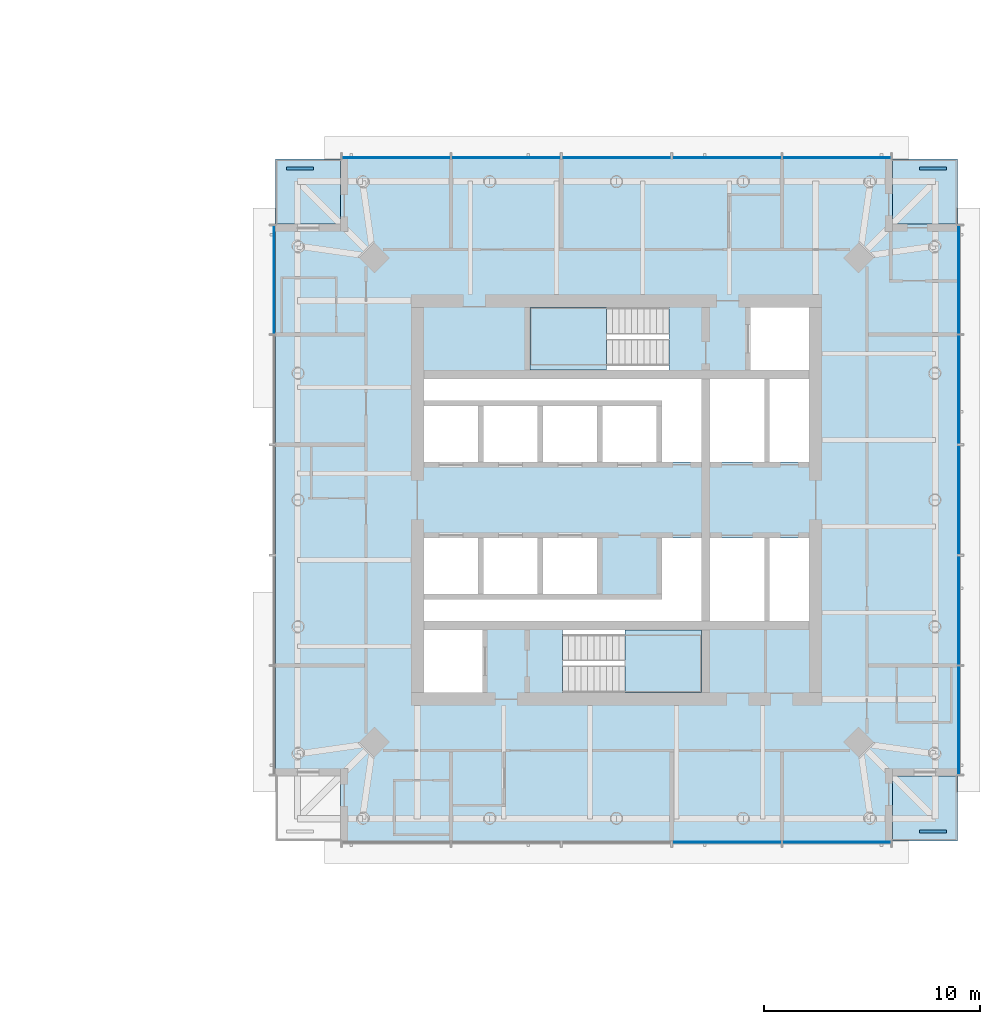
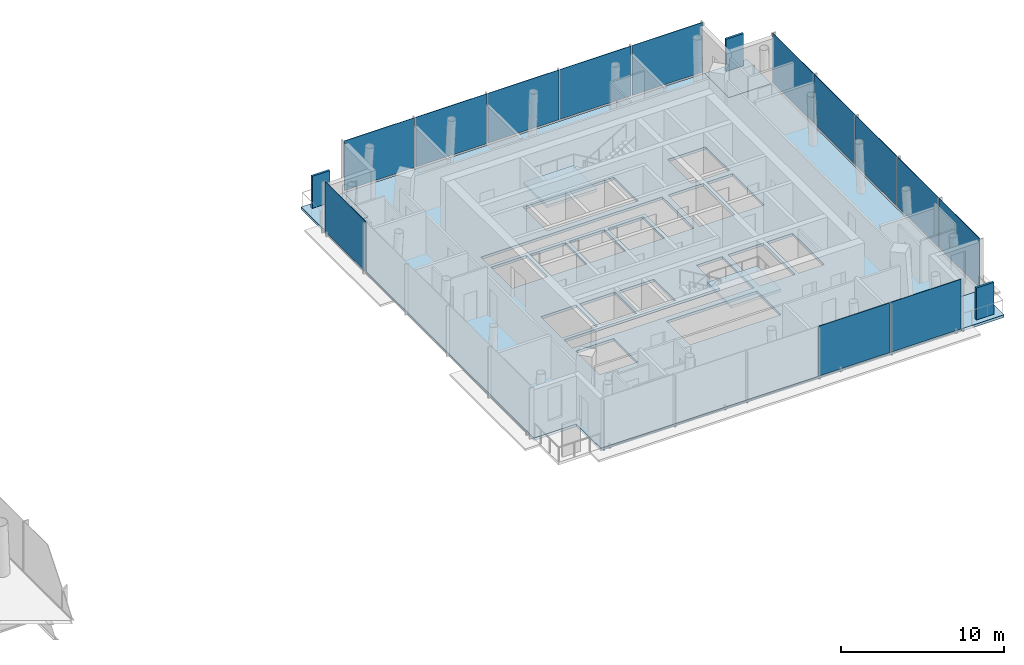
# One storey, part 7 of 19: 16 plates, 6 slabs, 6 elements without a shape of their own.
"""IFC4 building model written with IfcOpenShell, lengths in metres."""

from ifc_helpers import new_model, si_unit, direction, frame, origin, origin_2d, place, context, subcontext, project, spatial, polyline, rectangle, outline, extrude, material, layer, layer_set, type_object, element, aggregate, save


model = new_model("IFC4")

# Units and contexts
model_context = context("Model", 3, precision=1e-05, world=origin(), true_north=direction((0.0, 1.0)))
body_context = subcontext(model_context, "Body", "Model", "MODEL_VIEW")
ifc_project = project(units=[si_unit("LENGTHUNIT", "METRE"), si_unit("AREAUNIT", "SQUARE_METRE"), si_unit("VOLUMEUNIT", "CUBIC_METRE"), si_unit("PLANEANGLEUNIT", "RADIAN"), si_unit("MASSUNIT", "GRAM", prefix="KILO")], contexts=[model_context])

# Site, building, storey
site_placement = place(None, origin())
site = spatial("IfcSite", under=ifc_project, at=site_placement, CompositionType="ELEMENT")
building_placement = place(site_placement, origin())
building = spatial("IfcBuilding", under=site, at=building_placement, Name="Ostroluk Exchange", CompositionType="ELEMENT")
storey_placement = place(building_placement, frame((0.0, 0.0, 119.800048828125)))
storey = spatial("IfcBuildingStorey", under=building, at=storey_placement, Name="L30", CompositionType="ELEMENT", Elevation=119.800048828125)

# Curtain wall, plates
ifc_material_1 = material(Name="Laminated clear glass", Category="glass")
curtain_wall_type = type_object("IfcCurtainWallType", Name="Hotel guest floor facade", PredefinedType="USERDEFINED", material=ifc_material_1)
curtain_wall_1_placement = place(storey_placement, origin())
curtain_wall_1 = element("IfcCurtainWall", 1, at=curtain_wall_1_placement, inside=storey, type_object=curtain_wall_type, Name="Hotel tower south facade L30", ObjectType="UNITISED CURTAIN WALL", PredefinedType="USERDEFINED")
ifc_material_2 = material(Name="Laminated clear glass", Category="glass")
ifc_layer_1 = layer(ifc_material_2, 0.0400390625)
ifc_layer_set_1 = layer_set([ifc_layer_1], Name="Acoustic laminated glazing 40")
plate_type_1 = type_object("IfcPlateType", Name="Acoustic laminated glazing 40", PredefinedType="CURTAIN_PANEL", material=ifc_layer_set_1)
plate_1_placement = place(storey_placement, frame((122.10009765625, 30.175048828125, 0.080078125), z_axis=(0.0, 0.0, 1.0), x_axis=(1.0, 0.0, 0.0)))
plate_1 = element("IfcPlate", 2, at=plate_1_placement, type_object=plate_type_1, Name="CW-H1 panel 4.1", PredefinedType="CURTAIN_PANEL", context=body_context, shape_type="SweptSolid", body=[
    extrude(rectangle(XDim=5.02001953125, YDim=0.0400390625, at=origin_2d()), origin(), (0.0, 0.0, 1.0), 3.719970703125),
])
plate_2_placement = place(storey_placement, frame((127.179931640625, 30.175048828125, 0.080078125), z_axis=(0.0, 0.0, 1.0), x_axis=(1.0, 0.0, 0.0)))
plate_2 = element("IfcPlate", 3, at=plate_2_placement, type_object=plate_type_1, Name="CW-H1 panel 5.1", PredefinedType="CURTAIN_PANEL", context=body_context, shape_type="SweptSolid", body=[
    extrude(rectangle(XDim=4.97998046875, YDim=0.0400390625, at=origin_2d()), origin(), (0.0, 0.0, 1.0), 3.719970703125),
])
aggregate(curtain_wall_1, [plate_1, plate_2])

curtain_wall_2_placement = place(storey_placement, origin())
curtain_wall_2 = element("IfcCurtainWall", 4, at=curtain_wall_2_placement, inside=storey, type_object=curtain_wall_type, Name="Hotel tower east facade L30", ObjectType="UNITISED CURTAIN WALL", PredefinedType="USERDEFINED")
plate_3_placement = place(storey_placement, frame((132.824951171875, 35.820068359375, 0.080078125), z_axis=(0.0, 0.0, 1.0), x_axis=(0.0, 1.0, 0.0)))
plate_3 = element("IfcPlate", 5, at=plate_3_placement, type_object=plate_type_1, Name="CW-H1 panel 1.1", PredefinedType="CURTAIN_PANEL", context=body_context, shape_type="SweptSolid", body=[
    extrude(rectangle(XDim=4.97998046875, YDim=0.0400390625, at=origin_2d()), origin(), (0.0, 0.0, 1.0), 3.719970703125),
])
plate_4_placement = place(storey_placement, frame((132.824951171875, 40.89990234375, 0.080078125), z_axis=(0.0, 0.0, 1.0), x_axis=(0.0, 1.0, 0.0)))
plate_4 = element("IfcPlate", 6, at=plate_4_placement, type_object=plate_type_1, Name="CW-H1 panel 2.1", PredefinedType="CURTAIN_PANEL", context=body_context, shape_type="SweptSolid", body=[
    extrude(rectangle(XDim=5.02001953125, YDim=0.0400390625, at=origin_2d()), origin(), (0.0, 0.0, 1.0), 3.719970703125),
])
plate_5_placement = place(storey_placement, frame((132.824951171875, 46.0, 0.080078125), z_axis=(0.0, 0.0, 1.0), x_axis=(0.0, 1.0, 0.0)))
plate_5 = element("IfcPlate", 7, at=plate_5_placement, type_object=plate_type_1, Name="CW-H1 panel 3.1", PredefinedType="CURTAIN_PANEL", context=body_context, shape_type="SweptSolid", body=[
    extrude(rectangle(XDim=5.02001953125, YDim=0.0400390625, at=origin_2d()), origin(), (0.0, 0.0, 1.0), 3.719970703125),
])
plate_6_placement = place(storey_placement, frame((132.824951171875, 51.10009765625, 0.080078125), z_axis=(0.0, 0.0, 1.0), x_axis=(0.0, 1.0, 0.0)))
plate_6 = element("IfcPlate", 8, at=plate_6_placement, type_object=plate_type_1, Name="CW-H1 panel 4.1", PredefinedType="CURTAIN_PANEL", context=body_context, shape_type="SweptSolid", body=[
    extrude(rectangle(XDim=5.02001953125, YDim=0.0400390625, at=origin_2d()), origin(), (0.0, 0.0, 1.0), 3.719970703125),
])
plate_7_placement = place(storey_placement, frame((132.824951171875, 56.179931640625, 0.080078125), z_axis=(0.0, 0.0, 1.0), x_axis=(0.0, 1.0, 0.0)))
plate_7 = element("IfcPlate", 9, at=plate_7_placement, type_object=plate_type_1, Name="CW-H1 panel 5.1", PredefinedType="CURTAIN_PANEL", context=body_context, shape_type="SweptSolid", body=[
    extrude(rectangle(XDim=4.97998046875, YDim=0.0400390625, at=origin_2d()), origin(), (0.0, 0.0, 1.0), 3.719970703125),
])
aggregate(curtain_wall_2, [plate_3, plate_4, plate_5, plate_6, plate_7])

curtain_wall_3_placement = place(storey_placement, origin())
curtain_wall_3 = element("IfcCurtainWall", 10, at=curtain_wall_3_placement, inside=storey, type_object=curtain_wall_type, Name="Hotel tower north facade L30", ObjectType="UNITISED CURTAIN WALL", PredefinedType="USERDEFINED")
plate_8_placement = place(storey_placement, frame((127.179931640625, 61.824951171875, 0.080078125), z_axis=(0.0, 0.0, 1.0), x_axis=(-1.0, 0.0, 0.0)))
plate_8 = element("IfcPlate", 11, at=plate_8_placement, type_object=plate_type_1, Name="CW-H1 panel 1.1", PredefinedType="CURTAIN_PANEL", context=body_context, shape_type="SweptSolid", body=[
    extrude(rectangle(XDim=4.97998046875, YDim=0.0400390625, at=origin_2d()), origin(), (0.0, 0.0, 1.0), 3.719970703125),
])
plate_9_placement = place(storey_placement, frame((122.10009765625, 61.824951171875, 0.080078125), z_axis=(0.0, 0.0, 1.0), x_axis=(-1.0, 0.0, 0.0)))
plate_9 = element("IfcPlate", 12, at=plate_9_placement, type_object=plate_type_1, Name="CW-H1 panel 2.1", PredefinedType="CURTAIN_PANEL", context=body_context, shape_type="SweptSolid", body=[
    extrude(rectangle(XDim=5.02001953125, YDim=0.0400390625, at=origin_2d()), origin(), (0.0, 0.0, 1.0), 3.719970703125),
])
plate_10_placement = place(storey_placement, frame((117.0, 61.824951171875, 0.080078125), z_axis=(0.0, 0.0, 1.0), x_axis=(-1.0, 0.0, 0.0)))
plate_10 = element("IfcPlate", 13, at=plate_10_placement, type_object=plate_type_1, Name="CW-H1 panel 3.1", PredefinedType="CURTAIN_PANEL", context=body_context, shape_type="SweptSolid", body=[
    extrude(rectangle(XDim=5.02001953125, YDim=0.0400390625, at=origin_2d()), origin(), (0.0, 0.0, 1.0), 3.719970703125),
])
plate_11_placement = place(storey_placement, frame((111.89990234375, 61.824951171875, 0.080078125), z_axis=(0.0, 0.0, 1.0), x_axis=(-1.0, 0.0, 0.0)))
plate_11 = element("IfcPlate", 14, at=plate_11_placement, type_object=plate_type_1, Name="CW-H1 panel 4.1", PredefinedType="CURTAIN_PANEL", context=body_context, shape_type="SweptSolid", body=[
    extrude(rectangle(XDim=5.02001953125, YDim=0.0400390625, at=origin_2d()), origin(), (0.0, 0.0, 1.0), 3.719970703125),
])
plate_12_placement = place(storey_placement, frame((106.820068359375, 61.824951171875, 0.080078125), z_axis=(0.0, 0.0, 1.0), x_axis=(-1.0, 0.0, 0.0)))
plate_12 = element("IfcPlate", 15, at=plate_12_placement, type_object=plate_type_1, Name="CW-H1 panel 5.1", PredefinedType="CURTAIN_PANEL", context=body_context, shape_type="SweptSolid", body=[
    extrude(rectangle(XDim=4.97998046875, YDim=0.0400390625, at=origin_2d()), origin(), (0.0, 0.0, 1.0), 3.719970703125),
])
aggregate(curtain_wall_3, [plate_8, plate_9, plate_10, plate_11, plate_12])

# Curtain wall, plate
curtain_wall_4_placement = place(storey_placement, origin())
curtain_wall_4 = element("IfcCurtainWall", 16, at=curtain_wall_4_placement, inside=storey, type_object=curtain_wall_type, Name="Hotel tower west facade L30", ObjectType="UNITISED CURTAIN WALL", PredefinedType="USERDEFINED")
plate_13_placement = place(storey_placement, frame((101.175048828125, 56.179931640625, 0.080078125), z_axis=(0.0, 0.0, 1.0), x_axis=(0.0, -1.0, 0.0)))
plate_13 = element("IfcPlate", 17, at=plate_13_placement, type_object=plate_type_1, Name="CW-H1 panel 1.1", PredefinedType="CURTAIN_PANEL", context=body_context, shape_type="SweptSolid", body=[
    extrude(rectangle(XDim=4.97998046875, YDim=0.0400390625, at=origin_2d()), origin(), (0.0, 0.0, 1.0), 3.719970703125),
])
aggregate(curtain_wall_4, [plate_13])

# Slabs
ifc_material_3 = material(Name="Concrete C35/45", Category="concrete")
ifc_layer_2 = layer(ifc_material_3, 0.199951171875)
ifc_layer_set_2 = layer_set([ifc_layer_2], Name="Balcony slab 200")
slab_type_1 = type_object("IfcSlabType", Name="Balcony slab 200", PredefinedType="USERDEFINED", material=ifc_layer_set_2)
slab_1_placement = place(storey_placement, frame((0.0, 0.0, -0.199951171875)))
element("IfcSlab", 18, at=slab_1_placement, inside=storey, type_object=slab_type_1, Name="Hotel tower SE corner balcony L30", ObjectType="BALCONY", PredefinedType="USERDEFINED", context=body_context, shape_type="SweptSolid", body=[
    extrude(outline(polyline([(129.75, 30.25), (132.75, 30.25), (132.75, 33.25), (129.75, 33.25), (129.75, 30.25)])), origin(), (0.0, 0.0, 1.0), 0.199951171875),
])
slab_2_placement = place(storey_placement, frame((0.0, 0.0, -0.199951171875)))
element("IfcSlab", 19, at=slab_2_placement, inside=storey, type_object=slab_type_1, Name="Hotel tower NE corner balcony L30", ObjectType="BALCONY", PredefinedType="USERDEFINED", context=body_context, shape_type="SweptSolid", body=[
    extrude(outline(polyline([(129.75, 58.75), (132.75, 58.75), (132.75, 61.75), (129.75, 61.75), (129.75, 58.75)])), origin(), (0.0, 0.0, 1.0), 0.199951171875),
])
slab_3_placement = place(storey_placement, frame((0.0, 0.0, -0.199951171875)))
element("IfcSlab", 20, at=slab_3_placement, inside=storey, type_object=slab_type_1, Name="Hotel tower NW corner balcony L30", ObjectType="BALCONY", PredefinedType="USERDEFINED", context=body_context, shape_type="SweptSolid", body=[
    extrude(outline(polyline([(101.25, 58.75), (104.25, 58.75), (104.25, 61.75), (101.25, 61.75), (101.25, 58.75)])), origin(), (0.0, 0.0, 1.0), 0.199951171875),
])

# Plates
ifc_material_4 = material(Name="Steel S355 trellis with planting", Category="steel")
ifc_layer_3 = layer(ifc_material_4, 0.14990234375)
ifc_layer_set_3 = layer_set([ifc_layer_3], Name="Planted screen 150")
plate_type_2 = type_object("IfcPlateType", Name="Planted screen 150", PredefinedType="USERDEFINED", material=ifc_layer_set_3)
for number, where, z_axis, x_axis, name in (
    (21, (131.625, 30.675048828125, 0.0), (0.0, 0.0, 1.0), (1.0, 0.0, 0.0), "Hotel tower SE planted screen L30"),
    (22, (131.625, 61.324951171875, 0.0), (0.0, 0.0, 1.0), (1.0, 0.0, 0.0), "Hotel tower NE planted screen L30"),
    (23, (102.375, 61.324951171875, 0.0), (0.0, 0.0, 1.0), (1.0, 0.0, 0.0), "Hotel tower NW planted screen L30"),
):
    element("IfcPlate", number, at=place(storey_placement, frame(where, z_axis=z_axis, x_axis=x_axis)), inside=storey, type_object=plate_type_2, Name=name, ObjectType="PLANTED SCREEN", PredefinedType="USERDEFINED", context=body_context, shape_type="SweptSolid", body=[
        extrude(rectangle(XDim=1.25, YDim=0.14990234375, at=origin_2d()), origin(), (0.0, 0.0, 1.0), 2.39990234375),
    ])

# Stair, slab
ifc_material_5 = material(Name="Concrete C30/37", Category="concrete")
stair_type = type_object("IfcStairType", Name="Exit stair half turn 3800", PredefinedType="HALF_TURN_STAIR", material=ifc_material_5)
stair_1_placement = place(storey_placement, origin())
stair_1 = element("IfcStair", 24, at=stair_1_placement, inside=storey, type_object=stair_type, Name="Stair T2-S1 L30", PredefinedType="HALF_TURN_STAIR")
ifc_material_6 = material(Name="Concrete C30/37", Category="concrete")
ifc_layer_4 = layer(ifc_material_6, 0.199951171875)
ifc_layer_set_4 = layer_set([ifc_layer_4], Name="Stair landing 200")
slab_type_2 = type_object("IfcSlabType", Name="Stair landing 200", PredefinedType="LANDING", material=ifc_layer_set_4)
slab_4_placement = place(storey_placement, frame((0.0, 0.0, 1.699951171875)))
slab_4 = element("IfcSlab", 25, at=slab_4_placement, type_object=slab_type_2, Name="T2-S1 landing 1", PredefinedType="LANDING", context=body_context, shape_type="SweptSolid", body=[
    extrude(outline(polyline([(117.39990234375, 37.10009765625), (117.39990234375, 40.0), (120.929931640625, 40.0), (120.929931640625, 37.10009765625), (117.39990234375, 37.10009765625)])), origin(), (0.0, 0.0, 1.0), 0.199951171875),
])
aggregate(stair_1, [slab_4])

stair_2_placement = place(storey_placement, origin())
stair_2 = element("IfcStair", 26, at=stair_2_placement, inside=storey, type_object=stair_type, Name="Stair T2-S2 L30", PredefinedType="HALF_TURN_STAIR")
slab_5_placement = place(storey_placement, frame((0.0, 0.0, 1.699951171875)))
slab_5 = element("IfcSlab", 27, at=slab_5_placement, type_object=slab_type_2, Name="T2-S2 landing 1", PredefinedType="LANDING", context=body_context, shape_type="SweptSolid", body=[
    extrude(outline(polyline([(116.530029296875, 52.0), (116.530029296875, 54.89990234375), (113.0, 54.89990234375), (113.0, 52.0), (116.530029296875, 52.0)])), origin(), (0.0, 0.0, 1.0), 0.199951171875),
])
aggregate(stair_2, [slab_5])

# Slab
ifc_material_7 = material(Name="Concrete C35/45", Category="concrete")
ifc_layer_5 = layer(ifc_material_7, 0.199951171875)
ifc_layer_set_5 = layer_set([ifc_layer_5], Name="Tower floor slab 200 composite")
slab_type_3 = type_object("IfcSlabType", Name="Tower floor slab 200 composite", PredefinedType="FLOOR", material=ifc_layer_set_5)
slab_6_placement = place(storey_placement, frame((0.0, 0.0, -0.199951171875)))
element("IfcSlab", 28, at=slab_6_placement, inside=storey, type_object=slab_type_3, Name="Hotel tower floor slab L30", PredefinedType="FLOOR", context=body_context, shape_type="SweptSolid", body=[
    extrude(outline(polyline([(104.25, 30.25), (129.75, 30.25), (129.75, 33.25), (132.75, 33.25), (132.75, 58.75), (129.75, 58.75), (129.75, 61.75), (104.25, 61.75), (104.25, 58.75), (101.25, 58.75), (101.25, 33.25), (104.25, 33.25), (104.25, 30.25)]), holes=[polyline([(108.10009765625, 37.10009765625), (110.800048828125, 37.10009765625), (110.800048828125, 40.0), (108.10009765625, 40.0), (108.10009765625, 37.10009765625)]), polyline([(114.510009765625, 37.10009765625), (120.929931640625, 37.10009765625), (120.929931640625, 40.0), (114.510009765625, 40.0), (114.510009765625, 37.10009765625)]), polyline([(113.0, 52.0), (119.419921875, 52.0), (119.419921875, 54.89990234375), (113.0, 54.89990234375), (113.0, 52.0)]), polyline([(123.199951171875, 52.0), (125.89990234375, 52.0), (125.89990234375, 54.89990234375), (123.199951171875, 54.89990234375), (123.199951171875, 52.0)]), polyline([(108.10009765625, 47.75), (110.60009765625, 47.75), (110.60009765625, 50.35009765625), (108.10009765625, 50.35009765625), (108.10009765625, 47.75)]), polyline([(110.85009765625, 47.75), (113.35009765625, 47.75), (113.35009765625, 50.35009765625), (110.85009765625, 50.35009765625), (110.85009765625, 47.75)]), polyline([(113.60009765625, 47.75), (116.10009765625, 47.75), (116.10009765625, 50.35009765625), (113.60009765625, 50.35009765625), (113.60009765625, 47.75)]), polyline([(116.35009765625, 47.75), (118.85009765625, 47.75), (118.85009765625, 50.35009765625), (116.35009765625, 50.35009765625), (116.35009765625, 47.75)]), polyline([(108.10009765625, 41.64990234375), (110.60009765625, 41.64990234375), (110.60009765625, 44.25), (108.10009765625, 44.25), (108.10009765625, 41.64990234375)]), polyline([(110.85009765625, 41.64990234375), (113.35009765625, 41.64990234375), (113.35009765625, 44.25), (110.85009765625, 44.25), (110.85009765625, 41.64990234375)]), polyline([(113.60009765625, 41.64990234375), (116.10009765625, 41.64990234375), (116.10009765625, 44.25), (113.60009765625, 44.25), (113.60009765625, 41.64990234375)]), polyline([(121.330078125, 47.75), (123.830078125, 47.75), (123.830078125, 51.60009765625), (121.330078125, 51.60009765625), (121.330078125, 47.75)]), polyline([(121.330078125, 40.39990234375), (123.830078125, 40.39990234375), (123.830078125, 44.25), (121.330078125, 44.25), (121.330078125, 40.39990234375)]), polyline([(120.929931640625, 51.60009765625), (120.929931640625, 47.75), (119.10009765625, 47.75), (119.10009765625, 50.60009765625), (108.10009765625, 50.60009765625), (108.10009765625, 51.60009765625), (120.929931640625, 51.60009765625)]), polyline([(108.10009765625, 40.39990234375), (108.10009765625, 41.39990234375), (119.10009765625, 41.39990234375), (119.10009765625, 44.25), (120.929931640625, 44.25), (120.929931640625, 40.39990234375), (108.10009765625, 40.39990234375)]), polyline([(124.080078125, 47.75), (125.89990234375, 47.75), (125.89990234375, 51.60009765625), (124.080078125, 51.60009765625), (124.080078125, 47.75)]), polyline([(124.080078125, 40.39990234375), (125.89990234375, 40.39990234375), (125.89990234375, 44.25), (124.080078125, 44.25), (124.080078125, 40.39990234375)])]), origin(), (0.0, 0.0, 1.0), 0.199951171875),
])

save(model, "model.ifc")
